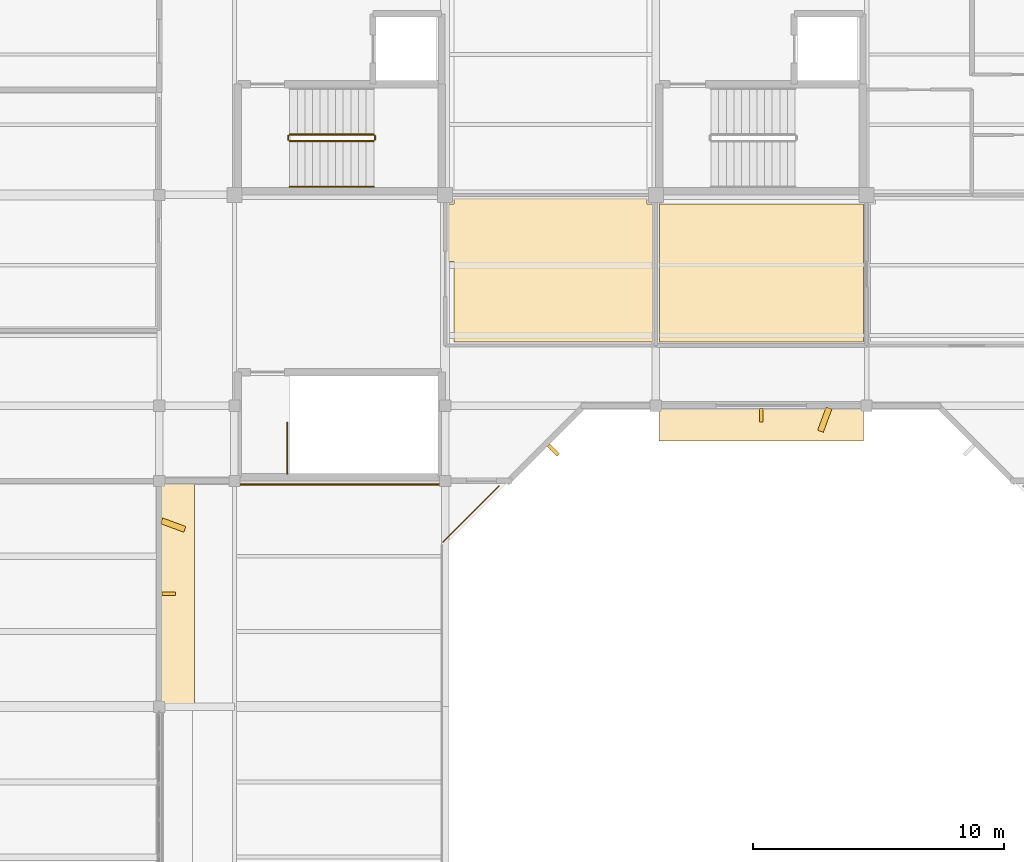
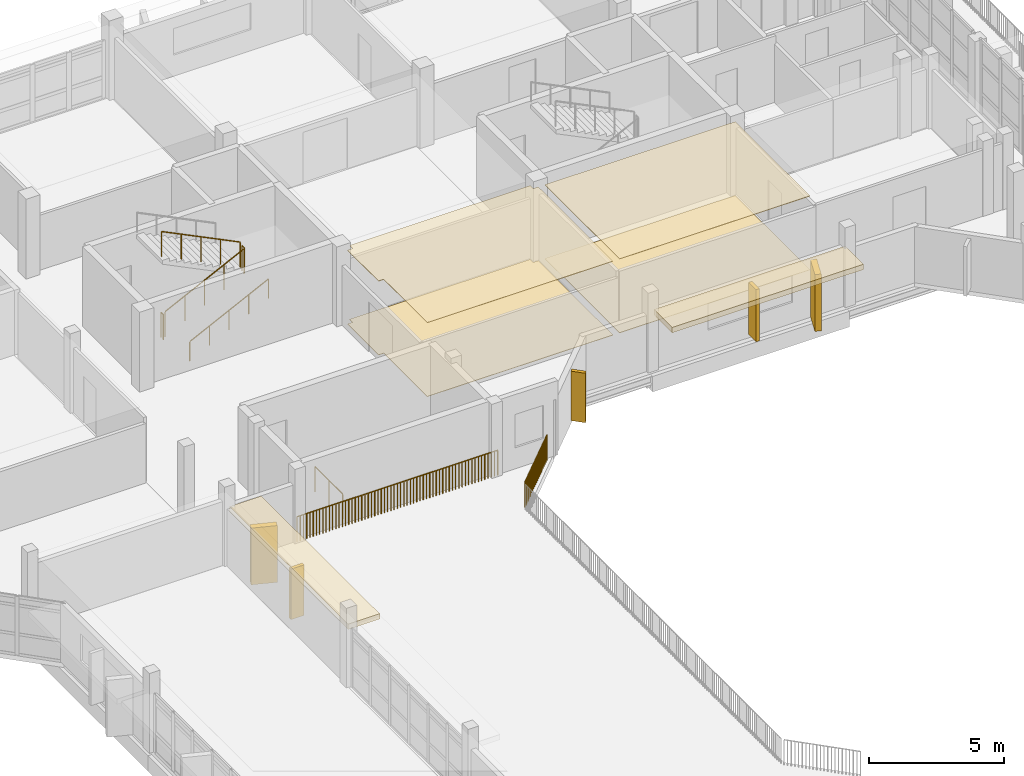
# One storey, part 36 of 42: 8 coverings, 8 railings, 3 shading devices.
"""IFC4 building model written with IfcOpenShell, lengths in metres."""

from ifc_helpers import new_model, si_unit, direction, frame, origin, origin_2d, place, context, subcontext, project, spatial, polyline, rectangle, circle, outline, extrude, material, layer, layer_set, type_object, element, save


model = new_model("IFC4")

# Units and contexts
model_context = context("Model", 3, precision=1e-05, world=origin(), true_north=direction((0.0, 1.0)))
body_context = subcontext(model_context, "Body", "Model", "MODEL_VIEW")
ifc_project = project(units=[si_unit("LENGTHUNIT", "METRE"), si_unit("AREAUNIT", "SQUARE_METRE"), si_unit("VOLUMEUNIT", "CUBIC_METRE"), si_unit("PLANEANGLEUNIT", "RADIAN"), si_unit("MASSUNIT", "GRAM", prefix="KILO")], contexts=[model_context])

# Site, building, storey
site_placement = place(None, origin())
site = spatial("IfcSite", under=ifc_project, at=site_placement, CompositionType="ELEMENT")
building_placement = place(site_placement, origin())
building = spatial("IfcBuilding", under=site, at=building_placement, Name="Vanh Quang Courtyard School", CompositionType="ELEMENT")
storey_placement = place(building_placement, frame((0.0, 0.0, 15.0)))
storey = spatial("IfcBuildingStorey", under=building, at=storey_placement, Name="L04", CompositionType="ELEMENT", Elevation=15.0)

# Coverings
ifc_material_1 = material(Name="Perforated mineral-fibre acoustic ceiling board")
ifc_layer_1 = layer(ifc_material_1, 0.02490234375)
ifc_layer_set_1 = layer_set([ifc_layer_1], Name="Perforated mineral-fibre acoustic ceiling board")
covering_type_1 = type_object("IfcCoveringType", Name="COV-CEIL-ACOUSTIC", PredefinedType="CEILING", material=ifc_layer_set_1)
covering_1_placement = place(storey_placement, frame((0.0, 0.0, 3.324951171875)))
element("IfcCovering", 1, at=covering_1_placement, inside=storey, type_object=covering_type_1, Name="Covering CV-CL1 (L04)", PredefinedType="CEILING", context=body_context, shape_type="SweptSolid", body=[
    extrude(outline(polyline([(85.929931640625, 79.449951171875), (86.14990234375, 79.449951171875), (86.14990234375, 79.669921875), (93.85009765625, 79.669921875), (93.85009765625, 79.449951171875), (94.070068359375, 79.449951171875), (94.070068359375, 73.93994140625), (94.070068359375, 73.93896484375), (94.06982421875, 73.93798828125), (94.069580078125, 73.93701171875), (94.069091796875, 73.936279296875), (94.06884765625, 73.935302734375), (94.068359375, 73.934326171875), (94.067626953125, 73.93359375), (94.067138671875, 73.932861328125), (94.06640625, 73.932373046875), (94.065673828125, 73.931640625), (94.064697265625, 73.93115234375), (94.063720703125, 73.930908203125), (94.06298828125, 73.930419921875), (94.06201171875, 73.93017578125), (94.06103515625, 73.929931640625), (94.06005859375, 73.929931640625), (86.14990234375, 73.929931640625), (86.14990234375, 77.14990234375), (85.929931640625, 77.14990234375), (85.929931640625, 79.449951171875)])), origin(), (0.0, 0.0, 1.0), 0.025146484375),
])
covering_2_placement = place(storey_placement, frame((0.0, 0.0, 3.324951171875)))
element("IfcCovering", 2, at=covering_2_placement, inside=storey, type_object=covering_type_1, Name="Covering CV-CL1 (L04)", PredefinedType="CEILING", context=body_context, shape_type="SweptSolid", body=[
    extrude(outline(polyline([(94.360107421875, 73.929931640625), (94.35888671875, 73.929931640625), (94.35791015625, 73.93017578125), (94.357177734375, 73.930419921875), (94.356201171875, 73.930908203125), (94.355224609375, 73.93115234375), (94.3544921875, 73.931640625), (94.353759765625, 73.932373046875), (94.352783203125, 73.932861328125), (94.352294921875, 73.93359375), (94.351806640625, 73.934326171875), (94.351318359375, 73.935302734375), (94.350830078125, 73.936279296875), (94.350341796875, 73.93701171875), (94.35009765625, 73.93798828125), (94.35009765625, 73.93896484375), (94.35009765625, 73.93994140625), (94.35009765625, 79.449951171875), (102.469970703125, 79.449951171875), (102.469970703125, 73.93994140625), (102.469970703125, 73.93896484375), (102.4697265625, 73.93798828125), (102.469482421875, 73.93701171875), (102.46923828125, 73.936279296875), (102.46875, 73.935302734375), (102.46826171875, 73.934326171875), (102.4677734375, 73.93359375), (102.467041015625, 73.932861328125), (102.46630859375, 73.932373046875), (102.465576171875, 73.931640625), (102.464599609375, 73.93115234375), (102.4638671875, 73.930908203125), (102.462890625, 73.930419921875), (102.4619140625, 73.93017578125), (102.4609375, 73.929931640625), (102.4599609375, 73.929931640625), (94.360107421875, 73.929931640625)])), origin(), (0.0, 0.0, 1.0), 0.025146484375),
])
ifc_material_2 = material(Name="Polished cementitious terrazzo tile", Category="concrete")
ifc_layer_2 = layer(ifc_material_2, 0.02001953125)
ifc_layer_set_2 = layer_set([ifc_layer_2], Name="Polished cementitious terrazzo tile")
covering_type_2 = type_object("IfcCoveringType", Name="COV-FLR-TERRAZZO", PredefinedType="FLOORING", material=ifc_layer_set_2)
covering_3_placement = place(storey_placement, origin())
element("IfcCovering", 3, at=covering_3_placement, inside=storey, type_object=covering_type_2, Name="Covering CV-FL1 (L04)", PredefinedType="FLOORING", context=body_context, shape_type="SweptSolid", body=[
    extrude(outline(polyline([(85.929931640625, 79.449951171875), (86.14990234375, 79.449951171875), (86.14990234375, 79.669921875), (93.85009765625, 79.669921875), (93.85009765625, 79.449951171875), (94.070068359375, 79.449951171875), (94.070068359375, 73.93994140625), (94.070068359375, 73.93896484375), (94.06982421875, 73.93798828125), (94.069580078125, 73.93701171875), (94.069091796875, 73.936279296875), (94.06884765625, 73.935302734375), (94.068359375, 73.934326171875), (94.067626953125, 73.93359375), (94.067138671875, 73.932861328125), (94.06640625, 73.932373046875), (94.065673828125, 73.931640625), (94.064697265625, 73.93115234375), (94.063720703125, 73.930908203125), (94.06298828125, 73.930419921875), (94.06201171875, 73.93017578125), (94.06103515625, 73.929931640625), (94.06005859375, 73.929931640625), (86.14990234375, 73.929931640625), (86.14990234375, 77.14990234375), (85.929931640625, 77.14990234375), (85.929931640625, 79.449951171875)])), origin(), (0.0, 0.0, 1.0), 0.02001953125),
])
covering_4_placement = place(storey_placement, origin())
element("IfcCovering", 4, at=covering_4_placement, inside=storey, type_object=covering_type_2, Name="Covering CV-FL1 (L04)", PredefinedType="FLOORING", context=body_context, shape_type="SweptSolid", body=[
    extrude(outline(polyline([(94.360107421875, 73.929931640625), (94.35888671875, 73.929931640625), (94.35791015625, 73.93017578125), (94.357177734375, 73.930419921875), (94.356201171875, 73.930908203125), (94.355224609375, 73.93115234375), (94.3544921875, 73.931640625), (94.353759765625, 73.932373046875), (94.352783203125, 73.932861328125), (94.352294921875, 73.93359375), (94.351806640625, 73.934326171875), (94.351318359375, 73.935302734375), (94.350830078125, 73.936279296875), (94.350341796875, 73.93701171875), (94.35009765625, 73.93798828125), (94.35009765625, 73.93896484375), (94.35009765625, 73.93994140625), (94.35009765625, 79.449951171875), (102.469970703125, 79.449951171875), (102.469970703125, 73.93994140625), (102.469970703125, 73.93896484375), (102.4697265625, 73.93798828125), (102.469482421875, 73.93701171875), (102.46923828125, 73.936279296875), (102.46875, 73.935302734375), (102.46826171875, 73.934326171875), (102.4677734375, 73.93359375), (102.467041015625, 73.932861328125), (102.46630859375, 73.932373046875), (102.465576171875, 73.931640625), (102.464599609375, 73.93115234375), (102.4638671875, 73.930908203125), (102.462890625, 73.930419921875), (102.4619140625, 73.93017578125), (102.4609375, 73.929931640625), (102.4599609375, 73.929931640625), (94.360107421875, 73.929931640625)])), origin(), (0.0, 0.0, 1.0), 0.02001953125),
])
ifc_material_3 = material(Name="Board-marked precast concrete C40/50", Category="concrete")
ifc_layer_3 = layer(ifc_material_3, 0.239990234375)
ifc_layer_set_3 = layer_set([ifc_layer_3], Name="Board-marked precast concrete C40/50")
covering_type_3 = type_object("IfcCoveringType", Name="COV-HOOD-CONC", PredefinedType="CLADDING", material=ifc_layer_set_3)
covering_5_placement = place(storey_placement, frame((98.39990234375, 70.669921875, 2.41015625), z_axis=(0.0, 0.0, 1.0), x_axis=(-1.0, 0.0, 0.0)))
element("IfcCovering", 5, at=covering_5_placement, inside=storey, type_object=covering_type_3, Name="Covering CH-01 (L04)", PredefinedType="CLADDING", context=body_context, shape_type="SweptSolid", body=[
    extrude(rectangle(XDim=8.154052734375, YDim=1.35009765625, at=origin_2d()), origin(), (0.0, 0.0, 1.0), 0.239990234375),
])
covering_6_placement = place(storey_placement, frame((100.934326171875, 70.840087890625, 0.0), z_axis=(0.0, 0.0, 1.0), x_axis=(-0.346608245445, -0.938009980858, 0.0)))
element("IfcCovering", 6, at=covering_6_placement, inside=storey, type_object=covering_type_3, Name="Covering CH-01 (L04)", PredefinedType="CLADDING", context=body_context, shape_type="SweptSolid", body=[
    extrude(rectangle(XDim=0.980712890625, YDim=0.239990234375, at=origin_2d()), origin(), (0.0, 0.0, 1.0), 2.56005859375),
])
covering_7_placement = place(storey_placement, frame((75.1298828125, 63.89990234375, 2.33984375), z_axis=(0.0, 0.0, 1.0), x_axis=(0.0, -1.0, 0.0)))
element("IfcCovering", 7, at=covering_7_placement, inside=storey, type_object=covering_type_3, Name="Covering CH-01 (L04)", PredefinedType="CLADDING", context=body_context, shape_type="SweptSolid", body=[
    extrude(rectangle(XDim=8.75390625, YDim=1.35009765625, at=origin_2d()), origin(), (0.0, 0.0, 1.0), 0.239990234375),
])
covering_8_placement = place(storey_placement, frame((74.9599609375, 66.638427734375, 0.0), z_axis=(0.0, 0.0, 1.0), x_axis=(0.938009980858, -0.346608245445, 0.0)))
element("IfcCovering", 8, at=covering_8_placement, inside=storey, type_object=covering_type_3, Name="Covering CH-01 (L04)", PredefinedType="CLADDING", context=body_context, shape_type="SweptSolid", body=[
    extrude(rectangle(XDim=0.980712890625, YDim=0.239990234375, at=origin_2d()), origin(), (0.0, 0.0, 1.0), 2.56005859375),
])

# Railings
ifc_material_4 = material(Name="Galvanised painted steel EN 10025-2 S355J2", Category="steel")
railing_type_1 = type_object("IfcRailingType", Name="RAIL-GUARD-1150", PredefinedType="BALUSTRADE", material=ifc_material_4)
railing_1_placement = place(storey_placement, frame((77.319580078125, 68.260009765625, 0.0)))
element("IfcRailing", 9, at=railing_1_placement, inside=storey, type_object=railing_type_1, Name="Railing GR-01 (L04)", PredefinedType="BALUSTRADE", context=body_context, shape_type="SweptSolid", body=[
    extrude(circle(Radius=0.02392578125, at=origin_2d()), frame((0.0, 0.0, 1.1259765625), z_axis=(1.0, 0.0, 0.0), x_axis=(0.0, 1.0, 0.0)), (0.0, 0.0, 1.0), 8.560791015625),
    extrude(circle(Radius=0.02099609375, at=origin_2d()), origin(), (0.0, 0.0, 1.0), 1.101806640625),
    extrude(circle(Radius=0.02099609375, at=origin_2d()), frame((0.13818359375, 0.0, 0.0)), (0.0, 0.0, 1.0), 1.101806640625),
    extrude(circle(Radius=0.02099609375, at=origin_2d()), frame((0.276123046875, 0.0, 0.0)), (0.0, 0.0, 1.0), 1.101806640625),
    extrude(circle(Radius=0.02099609375, at=origin_2d()), frame((0.414306640625, 0.0, 0.0)), (0.0, 0.0, 1.0), 1.101806640625),
    extrude(circle(Radius=0.02099609375, at=origin_2d()), frame((0.55224609375, 0.0, 0.0)), (0.0, 0.0, 1.0), 1.101806640625),
    extrude(circle(Radius=0.02099609375, at=origin_2d()), frame((0.6904296875, 0.0, 0.0)), (0.0, 0.0, 1.0), 1.101806640625),
    extrude(circle(Radius=0.02099609375, at=origin_2d()), frame((0.828369140625, 0.0, 0.0)), (0.0, 0.0, 1.0), 1.101806640625),
    extrude(circle(Radius=0.02099609375, at=origin_2d()), frame((0.966552734375, 0.0, 0.0)), (0.0, 0.0, 1.0), 1.101806640625),
    extrude(circle(Radius=0.02099609375, at=origin_2d()), frame((1.104736328125, 0.0, 0.0)), (0.0, 0.0, 1.0), 1.101806640625),
    extrude(circle(Radius=0.02099609375, at=origin_2d()), frame((1.24267578125, 0.0, 0.0)), (0.0, 0.0, 1.0), 1.101806640625),
    extrude(circle(Radius=0.02099609375, at=origin_2d()), frame((1.380859375, 0.0, 0.0)), (0.0, 0.0, 1.0), 1.101806640625),
    extrude(circle(Radius=0.02099609375, at=origin_2d()), frame((1.518798828125, 0.0, 0.0)), (0.0, 0.0, 1.0), 1.101806640625),
    extrude(circle(Radius=0.02099609375, at=origin_2d()), frame((1.656982421875, 0.0, 0.0)), (0.0, 0.0, 1.0), 1.101806640625),
    extrude(circle(Radius=0.02099609375, at=origin_2d()), frame((1.794921875, 0.0, 0.0)), (0.0, 0.0, 1.0), 1.101806640625),
    extrude(circle(Radius=0.02099609375, at=origin_2d()), frame((1.93310546875, 0.0, 0.0)), (0.0, 0.0, 1.0), 1.101806640625),
    extrude(circle(Radius=0.02099609375, at=origin_2d()), frame((2.071044921875, 0.0, 0.0)), (0.0, 0.0, 1.0), 1.101806640625),
    extrude(circle(Radius=0.02099609375, at=origin_2d()), frame((2.209228515625, 0.0, 0.0)), (0.0, 0.0, 1.0), 1.101806640625),
    extrude(circle(Radius=0.02099609375, at=origin_2d()), frame((2.347412109375, 0.0, 0.0)), (0.0, 0.0, 1.0), 1.101806640625),
    extrude(circle(Radius=0.02099609375, at=origin_2d()), frame((2.4853515625, 0.0, 0.0)), (0.0, 0.0, 1.0), 1.101806640625),
    extrude(circle(Radius=0.02099609375, at=origin_2d()), frame((2.62353515625, 0.0, 0.0)), (0.0, 0.0, 1.0), 1.101806640625),
    extrude(circle(Radius=0.02099609375, at=origin_2d()), frame((2.761474609375, 0.0, 0.0)), (0.0, 0.0, 1.0), 1.101806640625),
    extrude(circle(Radius=0.02099609375, at=origin_2d()), frame((2.899658203125, 0.0, 0.0)), (0.0, 0.0, 1.0), 1.101806640625),
    extrude(circle(Radius=0.02099609375, at=origin_2d()), frame((3.03759765625, 0.0, 0.0)), (0.0, 0.0, 1.0), 1.101806640625),
    extrude(circle(Radius=0.02099609375, at=origin_2d()), frame((3.17578125, 0.0, 0.0)), (0.0, 0.0, 1.0), 1.101806640625),
    extrude(circle(Radius=0.02099609375, at=origin_2d()), frame((3.31396484375, 0.0, 0.0)), (0.0, 0.0, 1.0), 1.101806640625),
    extrude(circle(Radius=0.02099609375, at=origin_2d()), frame((3.451904296875, 0.0, 0.0)), (0.0, 0.0, 1.0), 1.101806640625),
    extrude(circle(Radius=0.02099609375, at=origin_2d()), frame((3.590087890625, 0.0, 0.0)), (0.0, 0.0, 1.0), 1.101806640625),
    extrude(circle(Radius=0.02099609375, at=origin_2d()), frame((3.72802734375, 0.0, 0.0)), (0.0, 0.0, 1.0), 1.101806640625),
    extrude(circle(Radius=0.02099609375, at=origin_2d()), frame((3.8662109375, 0.0, 0.0)), (0.0, 0.0, 1.0), 1.101806640625),
    extrude(circle(Radius=0.02099609375, at=origin_2d()), frame((4.004150390625, 0.0, 0.0)), (0.0, 0.0, 1.0), 1.101806640625),
    extrude(circle(Radius=0.02099609375, at=origin_2d()), frame((4.142333984375, 0.0, 0.0)), (0.0, 0.0, 1.0), 1.101806640625),
    extrude(circle(Radius=0.02099609375, at=origin_2d()), frame((4.2802734375, 0.0, 0.0)), (0.0, 0.0, 1.0), 1.101806640625),
    extrude(circle(Radius=0.02099609375, at=origin_2d()), frame((4.41845703125, 0.0, 0.0)), (0.0, 0.0, 1.0), 1.101806640625),
    extrude(circle(Radius=0.02099609375, at=origin_2d()), frame((4.556640625, 0.0, 0.0)), (0.0, 0.0, 1.0), 1.101806640625),
    extrude(circle(Radius=0.02099609375, at=origin_2d()), frame((4.694580078125, 0.0, 0.0)), (0.0, 0.0, 1.0), 1.101806640625),
    extrude(circle(Radius=0.02099609375, at=origin_2d()), frame((4.832763671875, 0.0, 0.0)), (0.0, 0.0, 1.0), 1.101806640625),
    extrude(circle(Radius=0.02099609375, at=origin_2d()), frame((4.970703125, 0.0, 0.0)), (0.0, 0.0, 1.0), 1.101806640625),
    extrude(circle(Radius=0.02099609375, at=origin_2d()), frame((5.10888671875, 0.0, 0.0)), (0.0, 0.0, 1.0), 1.101806640625),
    extrude(circle(Radius=0.02099609375, at=origin_2d()), frame((5.246826171875, 0.0, 0.0)), (0.0, 0.0, 1.0), 1.101806640625),
    extrude(circle(Radius=0.02099609375, at=origin_2d()), frame((5.385009765625, 0.0, 0.0)), (0.0, 0.0, 1.0), 1.101806640625),
    extrude(circle(Radius=0.02099609375, at=origin_2d()), frame((5.523193359375, 0.0, 0.0)), (0.0, 0.0, 1.0), 1.101806640625),
    extrude(circle(Radius=0.02099609375, at=origin_2d()), frame((5.6611328125, 0.0, 0.0)), (0.0, 0.0, 1.0), 1.101806640625),
    extrude(circle(Radius=0.02099609375, at=origin_2d()), frame((5.79931640625, 0.0, 0.0)), (0.0, 0.0, 1.0), 1.101806640625),
    extrude(circle(Radius=0.02099609375, at=origin_2d()), frame((5.937255859375, 0.0, 0.0)), (0.0, 0.0, 1.0), 1.101806640625),
    extrude(circle(Radius=0.02099609375, at=origin_2d()), frame((6.075439453125, 0.0, 0.0)), (0.0, 0.0, 1.0), 1.101806640625),
    extrude(circle(Radius=0.02099609375, at=origin_2d()), frame((6.21337890625, 0.0, 0.0)), (0.0, 0.0, 1.0), 1.101806640625),
    extrude(circle(Radius=0.02099609375, at=origin_2d()), frame((6.3515625, 0.0, 0.0)), (0.0, 0.0, 1.0), 1.101806640625),
    extrude(circle(Radius=0.02099609375, at=origin_2d()), frame((6.48974609375, 0.0, 0.0)), (0.0, 0.0, 1.0), 1.101806640625),
    extrude(circle(Radius=0.02099609375, at=origin_2d()), frame((6.627685546875, 0.0, 0.0)), (0.0, 0.0, 1.0), 1.101806640625),
    extrude(circle(Radius=0.02099609375, at=origin_2d()), frame((6.765869140625, 0.0, 0.0)), (0.0, 0.0, 1.0), 1.101806640625),
    extrude(circle(Radius=0.02099609375, at=origin_2d()), frame((6.90380859375, 0.0, 0.0)), (0.0, 0.0, 1.0), 1.101806640625),
    extrude(circle(Radius=0.02099609375, at=origin_2d()), frame((7.0419921875, 0.0, 0.0)), (0.0, 0.0, 1.0), 1.101806640625),
    extrude(circle(Radius=0.02099609375, at=origin_2d()), frame((7.179931640625, 0.0, 0.0)), (0.0, 0.0, 1.0), 1.101806640625),
    extrude(circle(Radius=0.02099609375, at=origin_2d()), frame((7.318115234375, 0.0, 0.0)), (0.0, 0.0, 1.0), 1.101806640625),
    extrude(circle(Radius=0.02099609375, at=origin_2d()), frame((7.4560546875, 0.0, 0.0)), (0.0, 0.0, 1.0), 1.101806640625),
    extrude(circle(Radius=0.02099609375, at=origin_2d()), frame((7.59423828125, 0.0, 0.0)), (0.0, 0.0, 1.0), 1.101806640625),
    extrude(circle(Radius=0.02099609375, at=origin_2d()), frame((7.732421875, 0.0, 0.0)), (0.0, 0.0, 1.0), 1.101806640625),
    extrude(circle(Radius=0.02099609375, at=origin_2d()), frame((7.870361328125, 0.0, 0.0)), (0.0, 0.0, 1.0), 1.101806640625),
    extrude(circle(Radius=0.02099609375, at=origin_2d()), frame((8.008544921875, 0.0, 0.0)), (0.0, 0.0, 1.0), 1.101806640625),
    extrude(circle(Radius=0.02099609375, at=origin_2d()), frame((8.146484375, 0.0, 0.0)), (0.0, 0.0, 1.0), 1.101806640625),
    extrude(circle(Radius=0.02099609375, at=origin_2d()), frame((8.28466796875, 0.0, 0.0)), (0.0, 0.0, 1.0), 1.101806640625),
    extrude(circle(Radius=0.02099609375, at=origin_2d()), frame((8.422607421875, 0.0, 0.0)), (0.0, 0.0, 1.0), 1.101806640625),
    extrude(circle(Radius=0.02099609375, at=origin_2d()), frame((8.560791015625, 0.0, 0.0)), (0.0, 0.0, 1.0), 1.101806640625),
])
railing_2_placement = place(storey_placement, frame((87.94482421875, 68.199951171875, 0.0)))
element("IfcRailing", 10, at=railing_2_placement, inside=storey, type_object=railing_type_1, Name="Railing GR-01 (L04)", PredefinedType="BALUSTRADE", context=body_context, shape_type="SweptSolid", body=[
    extrude(circle(Radius=0.02392578125, at=origin_2d()), frame((0.0, 0.0, 1.1259765625), z_axis=(-0.706913207111, -0.707300302285, 0.0), x_axis=(0.707300302285, -0.706913207111, 0.0)), (0.0, 0.0, 1.0), 3.153564453125),
    extrude(circle(Radius=0.02099609375, at=origin_2d()), origin(), (0.0, 0.0, 1.0), 1.101806640625),
    extrude(circle(Radius=0.02099609375, at=origin_2d()), frame((-0.096923828125, -0.096923828125, 0.0)), (0.0, 0.0, 1.0), 1.101806640625),
    extrude(circle(Radius=0.02099609375, at=origin_2d()), frame((-0.19384765625, -0.19384765625, 0.0)), (0.0, 0.0, 1.0), 1.101806640625),
    extrude(circle(Radius=0.02099609375, at=origin_2d()), frame((-0.290771484375, -0.291015625, 0.0)), (0.0, 0.0, 1.0), 1.101806640625),
    extrude(circle(Radius=0.02099609375, at=origin_2d()), frame((-0.3876953125, -0.387939453125, 0.0)), (0.0, 0.0, 1.0), 1.101806640625),
    extrude(circle(Radius=0.02099609375, at=origin_2d()), frame((-0.484619140625, -0.48486328125, 0.0)), (0.0, 0.0, 1.0), 1.101806640625),
    extrude(circle(Radius=0.02099609375, at=origin_2d()), frame((-0.58154296875, -0.581787109375, 0.0)), (0.0, 0.0, 1.0), 1.101806640625),
    extrude(circle(Radius=0.02099609375, at=origin_2d()), frame((-0.678466796875, -0.678955078125, 0.0)), (0.0, 0.0, 1.0), 1.101806640625),
    extrude(circle(Radius=0.02099609375, at=origin_2d()), frame((-0.775390625, -0.77587890625, 0.0)), (0.0, 0.0, 1.0), 1.101806640625),
    extrude(circle(Radius=0.02099609375, at=origin_2d()), frame((-0.872314453125, -0.872802734375, 0.0)), (0.0, 0.0, 1.0), 1.101806640625),
    extrude(circle(Radius=0.02099609375, at=origin_2d()), frame((-0.96923828125, -0.9697265625, 0.0)), (0.0, 0.0, 1.0), 1.101806640625),
    extrude(circle(Radius=0.02099609375, at=origin_2d()), frame((-1.066162109375, -1.066650390625, 0.0)), (0.0, 0.0, 1.0), 1.101806640625),
    extrude(circle(Radius=0.02099609375, at=origin_2d()), frame((-1.1630859375, -1.163818359375, 0.0)), (0.0, 0.0, 1.0), 1.101806640625),
    extrude(circle(Radius=0.02099609375, at=origin_2d()), frame((-1.260009765625, -1.2607421875, 0.0)), (0.0, 0.0, 1.0), 1.101806640625),
    extrude(circle(Radius=0.02099609375, at=origin_2d()), frame((-1.35693359375, -1.357666015625, 0.0)), (0.0, 0.0, 1.0), 1.101806640625),
    extrude(circle(Radius=0.02099609375, at=origin_2d()), frame((-1.453857421875, -1.45458984375, 0.0)), (0.0, 0.0, 1.0), 1.101806640625),
    extrude(circle(Radius=0.02099609375, at=origin_2d()), frame((-1.55078125, -1.551513671875, 0.0)), (0.0, 0.0, 1.0), 1.101806640625),
    extrude(circle(Radius=0.02099609375, at=origin_2d()), frame((-1.647705078125, -1.648681640625, 0.0)), (0.0, 0.0, 1.0), 1.101806640625),
    extrude(circle(Radius=0.02099609375, at=origin_2d()), frame((-1.74462890625, -1.74560546875, 0.0)), (0.0, 0.0, 1.0), 1.101806640625),
    extrude(circle(Radius=0.02099609375, at=origin_2d()), frame((-1.841552734375, -1.842529296875, 0.0)), (0.0, 0.0, 1.0), 1.101806640625),
    extrude(circle(Radius=0.02099609375, at=origin_2d()), frame((-1.9384765625, -1.939453125, 0.0)), (0.0, 0.0, 1.0), 1.101806640625),
    extrude(circle(Radius=0.02099609375, at=origin_2d()), frame((-2.035400390625, -2.03662109375, 0.0)), (0.0, 0.0, 1.0), 1.101806640625),
    extrude(circle(Radius=0.02099609375, at=origin_2d()), frame((-2.13232421875, -2.133544921875, 0.0)), (0.0, 0.0, 1.0), 1.101806640625),
    extrude(circle(Radius=0.02099609375, at=origin_2d()), frame((-2.229248046875, -2.23046875, 0.0)), (0.0, 0.0, 1.0), 1.101806640625),
])
railing_3_placement = place(storey_placement, frame((79.60009765625, 81.949951171875, 0.14990234375)))
element("IfcRailing", 11, at=railing_3_placement, inside=storey, type_object=railing_type_1, Name="L04 ST-01 stair guard 1", PredefinedType="BALUSTRADE", context=body_context, shape_type="SweptSolid", body=[
    extrude(circle(Radius=0.02392578125, at=origin_2d()), frame((0.0, 0.0, 1.1259765625), z_axis=(0.89733343241, 0.0, 0.441353272424), x_axis=(0.0, 1.0, 0.0)), (0.0, 0.0, 1.0), 3.73876953125),
    extrude(circle(Radius=0.02099609375, at=origin_2d()), origin(), (0.0, 0.0, 1.0), 1.101806640625),
    extrude(circle(Radius=0.02099609375, at=origin_2d()), frame((0.8388671875, 0.0, 0.41259765625)), (0.0, 0.0, 1.0), 1.101806640625),
    extrude(circle(Radius=0.02099609375, at=origin_2d()), frame((1.677490234375, 0.0, 0.8251953125)), (0.0, 0.0, 1.0), 1.101806640625),
    extrude(circle(Radius=0.02099609375, at=origin_2d()), frame((2.51611328125, 0.0, 1.237548828125)), (0.0, 0.0, 1.0), 1.101806640625),
    extrude(circle(Radius=0.02099609375, at=origin_2d()), frame((3.35498046875, 0.0, 1.650146484375)), (0.0, 0.0, 1.0), 1.101806640625),
])
railing_4_placement = place(storey_placement, frame((83.0048828125, 82.0, 1.800048828125)))
element("IfcRailing", 12, at=railing_4_placement, inside=storey, type_object=railing_type_1, Name="L04 ST-01 stair guard 2", PredefinedType="BALUSTRADE", context=body_context, shape_type="SweptSolid", body=[
    extrude(circle(Radius=0.02392578125, at=origin_2d()), frame((0.0, 0.0, 1.1259765625), z_axis=(0.0, 1.0, 0.0), x_axis=(-1.0, 0.0, 0.0)), (0.0, 0.0, 1.0), 0.159912109375),
    extrude(circle(Radius=0.02099609375, at=origin_2d()), origin(), (0.0, 0.0, 1.0), 1.101806640625),
    extrude(circle(Radius=0.02099609375, at=origin_2d()), frame((0.0, 0.159912109375, 0.0)), (0.0, 0.0, 1.0), 1.101806640625),
])
railing_5_placement = place(storey_placement, frame((82.955078125, 82.2099609375, 1.949951171875)))
element("IfcRailing", 13, at=railing_5_placement, inside=storey, type_object=railing_type_1, Name="L04 ST-01 stair guard 3", PredefinedType="BALUSTRADE", context=body_context, shape_type="SweptSolid", body=[
    extrude(circle(Radius=0.02392578125, at=origin_2d()), frame((0.0, 0.0, 1.1259765625), z_axis=(-0.89733343241, 0.0, 0.441353272424), x_axis=(0.0, -1.0, 0.0)), (0.0, 0.0, 1.0), 3.73876953125),
    extrude(circle(Radius=0.02099609375, at=origin_2d()), origin(), (0.0, 0.0, 1.0), 1.101806640625),
    extrude(circle(Radius=0.02099609375, at=origin_2d()), frame((-0.8388671875, 0.0, 0.41259765625)), (0.0, 0.0, 1.0), 1.101806640625),
    extrude(circle(Radius=0.02099609375, at=origin_2d()), frame((-1.677490234375, 0.0, 0.8251953125)), (0.0, 0.0, 1.0), 1.101806640625),
    extrude(circle(Radius=0.02099609375, at=origin_2d()), frame((-2.51611328125, 0.0, 1.237548828125)), (0.0, 0.0, 1.0), 1.101806640625),
    extrude(circle(Radius=0.02099609375, at=origin_2d()), frame((-3.35498046875, 0.0, 1.650146484375)), (0.0, 0.0, 1.0), 1.101806640625),
])
railing_6_placement = place(storey_placement, frame((79.550048828125, 82.0, 0.0)))
element("IfcRailing", 14, at=railing_6_placement, inside=storey, type_object=railing_type_1, Name="L04 ST-01 stair guard 4", PredefinedType="BALUSTRADE", context=body_context, shape_type="SweptSolid", body=[
    extrude(circle(Radius=0.02392578125, at=origin_2d()), frame((0.0, 0.0, 1.1259765625), z_axis=(0.0, 1.0, 0.0), x_axis=(-1.0, 0.0, 0.0)), (0.0, 0.0, 1.0), 0.159912109375),
    extrude(circle(Radius=0.02099609375, at=origin_2d()), origin(), (0.0, 0.0, 1.0), 1.101806640625),
    extrude(circle(Radius=0.02099609375, at=origin_2d()), frame((0.0, 0.159912109375, 0.0)), (0.0, 0.0, 1.0), 1.101806640625),
])
railing_7_placement = place(storey_placement, frame((79.510009765625, 68.679931640625, 0.0)))
element("IfcRailing", 15, at=railing_7_placement, inside=storey, type_object=railing_type_1, Name="L04 ST-05 top well guard 1", PredefinedType="BALUSTRADE", context=body_context, shape_type="SweptSolid", body=[
    extrude(circle(Radius=0.02392578125, at=origin_2d()), frame((0.0, 0.0, 1.1259765625), z_axis=(0.0, 1.0, 0.0), x_axis=(-1.0, 0.0, 0.0)), (0.0, 0.0, 1.0), 2.0400390625),
    extrude(circle(Radius=0.02099609375, at=origin_2d()), origin(), (0.0, 0.0, 1.0), 1.101806640625),
    extrude(circle(Radius=0.02099609375, at=origin_2d()), frame((0.0, 1.02001953125, 0.0)), (0.0, 0.0, 1.0), 1.101806640625),
    extrude(circle(Radius=0.02099609375, at=origin_2d()), frame((0.0, 2.0400390625, 0.0)), (0.0, 0.0, 1.0), 1.101806640625),
])
ifc_material_5 = material(Name="Brushed stainless steel", Category="steel")
railing_type_2 = type_object("IfcRailingType", Name="RAIL-HAND-900", PredefinedType="HANDRAIL", material=ifc_material_5)
railing_8_placement = place(storey_placement, frame((79.60009765625, 80.1298828125, 0.14990234375)))
element("IfcRailing", 16, at=railing_8_placement, inside=storey, type_object=railing_type_2, Name="L04 ST-01 stair handrail 1", PredefinedType="HANDRAIL", context=body_context, shape_type="SweptSolid", body=[
    extrude(circle(Radius=0.02392578125, at=origin_2d()), frame((0.0, 0.0, 0.8759765625), z_axis=(0.89733343241, 0.0, 0.441353272424), x_axis=(0.0, 1.0, 0.0)), (0.0, 0.0, 1.0), 3.73876953125),
    extrude(circle(Radius=0.02099609375, at=origin_2d()), origin(), (0.0, 0.0, 1.0), 0.851806640625),
    extrude(circle(Radius=0.02099609375, at=origin_2d()), frame((0.8388671875, 0.0, 0.41259765625)), (0.0, 0.0, 1.0), 0.851806640625),
    extrude(circle(Radius=0.02099609375, at=origin_2d()), frame((1.677490234375, 0.0, 0.8251953125)), (0.0, 0.0, 1.0), 0.851806640625),
    extrude(circle(Radius=0.02099609375, at=origin_2d()), frame((2.51611328125, 0.0, 1.237548828125)), (0.0, 0.0, 1.0), 0.851806640625),
    extrude(circle(Radius=0.02099609375, at=origin_2d()), frame((3.35498046875, 0.0, 1.650146484375)), (0.0, 0.0, 1.0), 0.851806640625),
])

# Shading devices
shading_device_type = type_object("IfcShadingDeviceType", Name="SHD-FIN-CONCRETE", PredefinedType="USERDEFINED", material=ifc_material_3)
shading_device_1_placement = place(storey_placement, frame((98.39990234375, 71.014892578125, 0.14990234375), z_axis=(0.0, 0.0, 1.0), x_axis=(-1.0, 0.0, 0.0)))
element("IfcShadingDevice", 17, at=shading_device_1_placement, inside=storey, type_object=shading_device_type, Name="Solar Shading SH-02 (L04)", ObjectType="Solar Shading SH-02 (L04)", PredefinedType="USERDEFINED", context=body_context, shape_type="SweptSolid", body=[
    extrude(rectangle(XDim=0.139892578125, YDim=0.550048828125, at=origin_2d()), origin(), (0.0, 0.0, 1.0), 2.35009765625),
])
shading_device_2_placement = place(storey_placement, frame((90.1162109375, 69.627685546875, 0.14990234375), z_axis=(0.0, 0.0, 1.0), x_axis=(-0.707106781187, -0.707106781187, 0.0)))
element("IfcShadingDevice", 18, at=shading_device_2_placement, inside=storey, type_object=shading_device_type, Name="Solar Shading SH-02 (L04)", ObjectType="Solar Shading SH-02 (L04)", PredefinedType="USERDEFINED", context=body_context, shape_type="SweptSolid", body=[
    extrude(rectangle(XDim=0.139892578125, YDim=0.550048828125, at=origin_2d()), origin(), (0.0, 0.0, 1.0), 2.22998046875),
])
shading_device_3_placement = place(storey_placement, frame((74.784912109375, 63.89990234375, 0.14990234375), z_axis=(0.0, 0.0, 1.0), x_axis=(0.0, -1.0, 0.0)))
element("IfcShadingDevice", 19, at=shading_device_3_placement, inside=storey, type_object=shading_device_type, Name="Solar Shading SH-02 (L04)", ObjectType="Solar Shading SH-02 (L04)", PredefinedType="USERDEFINED", context=body_context, shape_type="SweptSolid", body=[
    extrude(rectangle(XDim=0.139892578125, YDim=0.550048828125, at=origin_2d()), origin(), (0.0, 0.0, 1.0), 2.280029296875),
])

save(model, "model.ifc")
